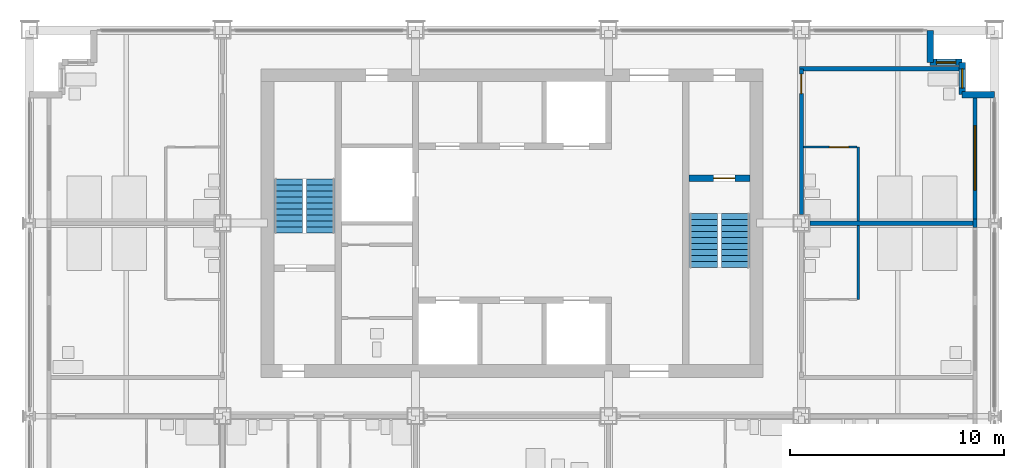
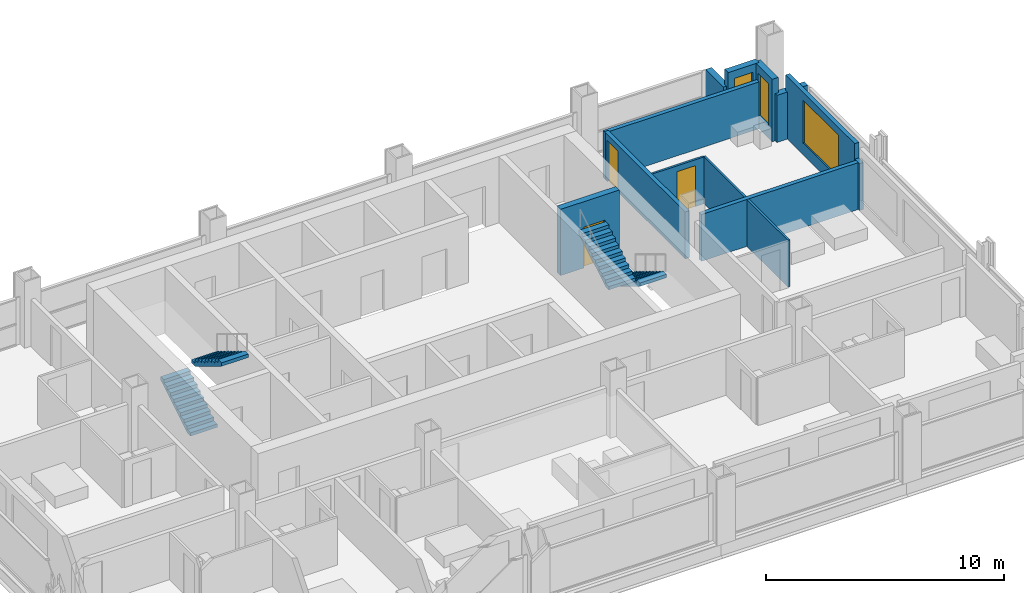
# One storey, part 10 of 13: 13 walls, 4 stair flights, 3 doors, 3 windows, 6 openings, 2 elements without a shape of their own.
"""IFC4 building model written with IfcOpenShell, lengths in metres."""

from ifc_helpers import new_model, si_unit, direction, frame, frame_2d, origin, place, context, subcontext, project, spatial, polyline, rectangle, outline, extrude, material, layer, layer_set, type_object, element, fill, aggregate, save


model = new_model("IFC4")

# Units and contexts
model_context = context("Model", 3, precision=1e-05, world=origin(), true_north=direction((0.0, 1.0)))
body_context = subcontext(model_context, "Body", "Model", "MODEL_VIEW")
ifc_project = project(units=[si_unit("LENGTHUNIT", "METRE"), si_unit("AREAUNIT", "SQUARE_METRE"), si_unit("VOLUMEUNIT", "CUBIC_METRE"), si_unit("PLANEANGLEUNIT", "RADIAN"), si_unit("MASSUNIT", "GRAM", prefix="KILO")], contexts=[model_context])

# Site, building, storey
site_placement = place(None, origin())
site = spatial("IfcSite", under=ifc_project, at=site_placement, CompositionType="ELEMENT")
building_placement = place(site_placement, origin())
building = spatial("IfcBuilding", under=site, at=building_placement, Name="Loomwork Tower", CompositionType="ELEMENT")
storey_placement = place(building_placement, frame((0.0, 0.0, 184.199951171875)))
storey = spatial("IfcBuildingStorey", under=building, at=storey_placement, Name="L50", CompositionType="ELEMENT", Elevation=184.199951171875)

# Wall, opening, door
ifc_material_1 = material(Name="Concrete 14000 psi (97 MPa)", Category="concrete")
ifc_layer_1 = layer(ifc_material_1, 0.300048828125)
ifc_layer_set_1 = layer_set([ifc_layer_1], Name="Core shear wall 300")
wall_type_1 = type_object("IfcWallType", Name="Core shear wall 300", PredefinedType="SHEAR", material=ifc_layer_set_1)
wall_1_placement = place(storey_placement, frame((30.75, 20.10009765625, 0.0), z_axis=(0.0, 0.0, 1.0), x_axis=(1.0, 0.0, 0.0)))
wall_1 = element("IfcWall", 1, at=wall_1_placement, inside=storey, type_object=wall_type_1, Name="Stair B north wall L50", PredefinedType="SHEAR", context=body_context, shape_type="SweptSolid", body=[
    extrude(rectangle(XDim=2.85009765625, YDim=0.300048828125, at=frame_2d((1.425048828125, 0.0))), origin(), (0.0, 0.0, 1.0), 3.400146484375),
])
opening_1_placement = place(wall_1_placement, frame((1.14990234375, 0.0, 0.0)))
opening_1 = element("IfcOpeningElement", 2, at=opening_1_placement, cuts=wall_1, Name="Opening D4", PredefinedType="OPENING", context=body_context, shape_type="SweptSolid", body=[
    extrude(rectangle(XDim=1.0, YDim=2.10009765625, at=frame_2d((0.5, 1.050048828125))), frame((0.0, 0.159912109375, 0.0), z_axis=(0.0, -1.0, 0.0), x_axis=(1.0, 0.0, 0.0)), (0.0, 0.0, 1.0), 0.320068359375),
])
ifc_material_2 = material(Name="Hollow metal door and frame")
door_type_1 = type_object("IfcDoorType", Name="Stair door 1000", OperationType="SINGLE_SWING_RIGHT", PredefinedType="DOOR", material=ifc_material_2)
door_1_placement = place(opening_1_placement, frame((1.0, 0.0, 0.0), z_axis=(0.0, 0.0, 1.0), x_axis=(-1.0, 0.0, 0.0)))
door_1 = element("IfcDoor", 3, at=door_1_placement, inside=storey, type_object=door_type_1, Name="Stair B door", OperationType="SINGLE_SWING_LEFT", OverallHeight=2.10009765625, OverallWidth=1.0, PredefinedType="DOOR", context=body_context, shape_type="SweptSolid", body=[
    extrude(rectangle(XDim=1.0, YDim=2.10009765625, at=frame_2d((0.5, 1.050048828125))), frame((0.0, 0.02490234375, 0.0), z_axis=(0.0, -1.0, 0.0), x_axis=(1.0, 0.0, 0.0)), (0.0, 0.0, 1.0), 0.050048828125),
])
fill(opening_1, door_1)

ifc_material_3 = material(Name="Gypsum board on steel studs, one-hour", Category="steel")
ifc_layer_2 = layer(ifc_material_3, 0.199951171875)
ifc_layer_set_2 = layer_set([ifc_layer_2], Name="Corridor wall 200")
wall_type_2 = type_object("IfcWallType", Name="Corridor wall 200", PredefinedType="PARTITIONING", material=ifc_layer_set_2)
wall_2_placement = place(storey_placement, frame((36.0, 18.39990234375, 0.0), z_axis=(0.0, 0.0, 1.0), x_axis=(0.0, 1.0, 0.0)))
wall_2 = element("IfcWall", 4, at=wall_2_placement, inside=storey, type_object=wall_type_2, Name="East corridor wall 2", PredefinedType="PARTITIONING", context=body_context, shape_type="SweptSolid", body=[
    extrude(rectangle(XDim=6.800048828125, YDim=0.199951171875, at=frame_2d((3.39990234375, 0.0))), origin(), (0.0, 0.0, 1.0), 2.405029296875),
])
opening_2_placement = place(wall_2_placement, frame((5.64990234375, 0.0, 0.0)))
opening_2 = element("IfcOpeningElement", 5, at=opening_2_placement, cuts=wall_2, Name="Opening D1", PredefinedType="OPENING", context=body_context, shape_type="SweptSolid", body=[
    extrude(rectangle(XDim=0.89990234375, YDim=2.10009765625, at=frame_2d((0.449951171875, 1.050048828125))), frame((0.0, 0.10986328125, 0.0), z_axis=(0.0, -1.0, 0.0), x_axis=(1.0, 0.0, 0.0)), (0.0, 0.0, 1.0), 0.219970703125),
])
ifc_material_4 = material(Name="Hollow metal door and frame")
door_type_2 = type_object("IfcDoorType", Name="Guest room entry door 900", OperationType="SINGLE_SWING_LEFT", PredefinedType="DOOR", material=ifc_material_4)
door_2_placement = place(opening_2_placement, frame((0.89990234375, 0.0, 0.0), z_axis=(0.0, 0.0, 1.0), x_axis=(-1.0, 0.0, 0.0)))
door_2 = element("IfcDoor", 6, at=door_2_placement, inside=storey, type_object=door_type_2, Name="Guest room entry door L50 10", OperationType="SINGLE_SWING_LEFT", OverallHeight=2.10009765625, OverallWidth=0.89990234375, PredefinedType="DOOR", context=body_context, shape_type="SweptSolid", body=[
    extrude(rectangle(XDim=0.89990234375, YDim=2.10009765625, at=frame_2d((0.449951171875, 1.050048828125))), frame((0.0, 0.02490234375, 0.0), z_axis=(0.0, -1.0, 0.0), x_axis=(1.0, 0.0, 0.0)), (0.0, 0.0, 1.0), 0.050048828125),
])
fill(opening_2, door_2)

# Walls
wall_3_placement = place(storey_placement, frame((35.89990234375, 25.199951171875, 0.0), z_axis=(0.0, 0.0, 1.0), x_axis=(1.0, 0.0, 0.0)))
element("IfcWall", 7, at=wall_3_placement, inside=storey, type_object=wall_type_2, Name="East band end wall N", PredefinedType="PARTITIONING", context=body_context, shape_type="SweptSolid", body=[
    extrude(rectangle(XDim=7.4501953125, YDim=0.199951171875, at=frame_2d((3.72509765625, 0.0))), origin(), (0.0, 0.0, 1.0), 2.404052734375),
])
ifc_material_5 = material(Name="Cement board on steel studs", Category="steel")
ifc_layer_3 = layer(ifc_material_5, 0.10009765625)
ifc_layer_set_3 = layer_set([ifc_layer_3], Name="En-suite partition 100")
wall_type_3 = type_object("IfcWallType", Name="En-suite partition 100", PredefinedType="PARTITIONING", material=ifc_layer_set_3)
for number, where, z_axis, x_axis, name in (
    (8, (38.64990234375, 14.449951171875, 0.0), (0.0, 0.0, 1.0), (0.0, 1.0, 0.0), "En-suite wall L50 room 9"),
    (9, (38.64990234375, 18.10009765625, 0.0), (0.0, 0.0, 1.0), (0.0, 1.0, 0.0), "En-suite wall L50 room 10"),
):
    element("IfcWall", number, at=place(storey_placement, frame(where, z_axis=z_axis, x_axis=x_axis)), inside=storey, type_object=wall_type_3, Name=name, PredefinedType="PARTITIONING", context=body_context, shape_type="SweptSolid", body=[
        extrude(rectangle(XDim=3.449951171875, YDim=0.10009765625, at=frame_2d((1.72509765625, 0.0))), origin(), (0.0, 0.0, 1.0), 2.404052734375),
    ])

# Wall, opening, door
wall_4_placement = place(storey_placement, frame((36.10009765625, 21.550048828125, 0.0), z_axis=(0.0, 0.0, 1.0), x_axis=(1.0, 0.0, 0.0)))
wall_4 = element("IfcWall", 10, at=wall_4_placement, inside=storey, type_object=wall_type_3, Name="En-suite side wall L50 room 10", PredefinedType="PARTITIONING", context=body_context, shape_type="SweptSolid", body=[
    extrude(rectangle(XDim=2.5, YDim=0.10009765625, at=frame_2d((1.25, 0.0))), origin(), (0.0, 0.0, 1.0), 2.404052734375),
])
opening_3_placement = place(wall_4_placement, frame((1.199951171875, 0.0, 0.0)))
opening_3 = element("IfcOpeningElement", 11, at=opening_3_placement, cuts=wall_4, Name="Opening D2", PredefinedType="OPENING", context=body_context, shape_type="SweptSolid", body=[
    extrude(rectangle(XDim=0.89990234375, YDim=2.10009765625, at=frame_2d((0.449951171875, 1.050048828125))), frame((0.0, 0.06005859375, 0.0), z_axis=(0.0, -1.0, 0.0), x_axis=(1.0, 0.0, 0.0)), (0.0, 0.0, 1.0), 0.1201171875),
])
ifc_material_6 = material(Name="Hollow metal door and frame")
door_type_3 = type_object("IfcDoorType", Name="En-suite door 900", OperationType="SINGLE_SWING_LEFT", PredefinedType="DOOR", material=ifc_material_6)
door_3_placement = place(opening_3_placement, frame((0.89990234375, 0.0, 0.0), z_axis=(0.0, 0.0, 1.0), x_axis=(-1.0, 0.0, 0.0)))
door_3 = element("IfcDoor", 12, at=door_3_placement, inside=storey, type_object=door_type_3, Name="En-suite door room 10", OperationType="SINGLE_SWING_LEFT", OverallHeight=2.10009765625, OverallWidth=0.89990234375, PredefinedType="DOOR", context=body_context, shape_type="SweptSolid", body=[
    extrude(rectangle(XDim=0.89990234375, YDim=2.10009765625, at=frame_2d((0.449951171875, 1.050048828125))), frame((0.0, 0.02490234375, 0.0), z_axis=(0.0, -1.0, 0.0), x_axis=(1.0, 0.0, 0.0)), (0.0, 0.0, 1.0), 0.050048828125),
])
fill(opening_3, door_3)

# Walls
ifc_material_7 = material(Name="Gypsum board on steel studs, acoustic", Category="steel")
ifc_layer_4 = layer(ifc_material_7, 0.199951171875)
ifc_layer_set_4 = layer_set([ifc_layer_4], Name="Guest room party wall 200")
wall_type_4 = type_object("IfcWallType", Name="Guest room party wall 200", PredefinedType="PARTITIONING", material=ifc_layer_set_4)
wall_5_placement = place(storey_placement, frame((36.39990234375, 18.0, 0.0), z_axis=(0.0, 0.0, 1.0), x_axis=(1.0, 0.0, 0.0)))
element("IfcWall", 13, at=wall_5_placement, inside=storey, type_object=wall_type_4, Name="Guest room party wall E 18", PredefinedType="PARTITIONING", context=body_context, shape_type="SweptSolid", body=[
    extrude(rectangle(XDim=7.60009765625, YDim=0.199951171875, at=frame_2d((3.800048828125, 0.0))), origin(), (0.0, 0.0, 1.0), 2.405029296875),
])
ifc_material_8 = material(Name="Insulated steel stud wall with gypsum lining", Category="steel")
ifc_layer_5 = layer(ifc_material_8, 0.199951171875)
ifc_layer_set_5 = layer_set([ifc_layer_5], Name="Inner skin wall 200")
wall_type_5 = type_object("IfcWallType", Name="Inner skin wall 200", PredefinedType="SOLIDWALL", material=ifc_layer_set_5)
wall_6_placement = place(storey_placement, frame((44.10009765625, 17.80615234375, 0.0), z_axis=(0.0, 0.0, 1.0), x_axis=(0.0, 1.0, 0.0)))
element("IfcWall", 14, at=wall_6_placement, inside=storey, type_object=wall_type_5, Name="Inner skin wall E bay 6", PredefinedType="SOLIDWALL", context=body_context, shape_type="SweptSolid", body=[
    extrude(rectangle(XDim=0.3876953125, YDim=0.199951171875, at=frame_2d((0.19384765625, 0.0))), origin(), (0.0, 0.0, 1.0), 2.404052734375),
])

# Wall, opening, window
wall_7_placement = place(storey_placement, frame((44.10009765625, 18.19384765625, 0.0), z_axis=(0.0, 0.0, 1.0), x_axis=(0.0, 1.0, 0.0)))
wall_7 = element("IfcWall", 15, at=wall_7_placement, inside=storey, type_object=wall_type_5, Name="Inner skin wall E bay 7", PredefinedType="SOLIDWALL", context=body_context, shape_type="SweptSolid", body=[
    extrude(rectangle(XDim=5.80615234375, YDim=0.199951171875, at=frame_2d((2.903076171875, 0.0))), origin(), (0.0, 0.0, 1.0), 3.199951171875),
])
opening_4_placement = place(wall_7_placement, frame((1.356201171875, 0.0, 0.60009765625)))
opening_4 = element("IfcOpeningElement", 16, at=opening_4_placement, cuts=wall_7, Name="Opening CH1", PredefinedType="OPENING", context=body_context, shape_type="SweptSolid", body=[
    extrude(rectangle(XDim=3.0, YDim=2.199951171875, at=frame_2d((1.5, 1.10009765625))), frame((0.0, 0.10986328125, 0.0), z_axis=(0.0, -1.0, 0.0), x_axis=(1.0, 0.0, 0.0)), (0.0, 0.0, 1.0), 0.219970703125),
])
ifc_material_9 = material(Name="Aluminium frame with clear insulated glass", Category="aluminium")
window_type_1 = type_object("IfcWindowType", Name="Chicago window 3000", PartitioningType="TRIPLE_PANEL_VERTICAL", PredefinedType="WINDOW", material=ifc_material_9)
window_1_placement = place(opening_4_placement, origin())
window_1 = element("IfcWindow", 17, at=window_1_placement, inside=storey, type_object=window_type_1, Name="Chicago window L50 bay 9", OverallHeight=2.199951171875, OverallWidth=3.0, PartitioningType="TRIPLE_PANEL_VERTICAL", PredefinedType="WINDOW", context=body_context, shape_type="SweptSolid", body=[
    extrude(rectangle(XDim=3.0, YDim=2.199951171875, at=frame_2d((1.5, 1.10009765625))), frame((0.0, 0.030029296875, 0.0), z_axis=(0.0, -1.0, 0.0), x_axis=(1.0, 0.0, 0.0)), (0.0, 0.0, 1.0), 0.06005859375),
])
fill(opening_4, window_1)

# Wall
ifc_material_10 = material(Name="Limestone on concrete masonry", Category="masonry")
ifc_layer_6 = layer(ifc_material_10, 0.300048828125)
ifc_layer_set_6 = layer_set([ifc_layer_6], Name="Limestone corner wall 300")
wall_type_6 = type_object("IfcWallType", Name="Limestone corner wall 300", PredefinedType="SOLIDWALL", material=ifc_layer_set_6)
wall_8_placement = place(storey_placement, frame((45.0, 24.0, 0.0), z_axis=(0.0, 0.0, 1.0), x_axis=(-1.0, 0.0, 0.0)))
element("IfcWall", 18, at=wall_8_placement, inside=storey, type_object=wall_type_6, Name="Stone corner wall NE 1", PredefinedType="SOLIDWALL", context=body_context, shape_type="SweptSolid", body=[
    extrude(rectangle(XDim=1.5, YDim=0.300048828125, at=frame_2d((0.75, 0.0))), origin(), (0.0, 0.0, 1.0), 2.420166015625),
])

# Wall, opening, window
wall_9_placement = place(storey_placement, frame((43.5, 24.0, 0.0), z_axis=(0.0, 0.0, 1.0), x_axis=(0.0, 1.0, 0.0)))
wall_9 = element("IfcWall", 19, at=wall_9_placement, inside=storey, type_object=wall_type_6, Name="Stone corner wall NE 2", PredefinedType="SOLIDWALL", context=body_context, shape_type="SweptSolid", body=[
    extrude(rectangle(XDim=1.5, YDim=0.300048828125, at=frame_2d((0.75, 0.0))), origin(), (0.0, 0.0, 1.0), 3.199951171875),
])
opening_5_placement = place(wall_9_placement, frame((0.300048828125, 0.0, 0.60009765625)))
opening_5 = element("IfcOpeningElement", 20, at=opening_5_placement, cuts=wall_9, Name="Opening CH2", PredefinedType="OPENING", context=body_context, shape_type="SweptSolid", body=[
    extrude(rectangle(XDim=0.89990234375, YDim=2.199951171875, at=frame_2d((0.449951171875, 1.10009765625))), frame((0.0, 0.159912109375, 0.0), z_axis=(0.0, -1.0, 0.0), x_axis=(1.0, 0.0, 0.0)), (0.0, 0.0, 1.0), 0.320068359375),
])
ifc_material_11 = material(Name="Aluminium frame with clear insulated glass", Category="aluminium")
window_type_2 = type_object("IfcWindowType", Name="Corner window 900", PartitioningType="SINGLE_PANEL", PredefinedType="WINDOW", material=ifc_material_11)
window_2_placement = place(opening_5_placement, origin())
window_2 = element("IfcWindow", 21, at=window_2_placement, inside=storey, type_object=window_type_2, Name="Corner window NE", OverallHeight=2.199951171875, OverallWidth=0.89990234375, PartitioningType="SINGLE_PANEL", PredefinedType="WINDOW", context=body_context, shape_type="SweptSolid", body=[
    extrude(rectangle(XDim=0.89990234375, YDim=2.199951171875, at=frame_2d((0.449951171875, 1.10009765625))), frame((0.0, 0.030029296875, 0.0), z_axis=(0.0, -1.0, 0.0), x_axis=(1.0, 0.0, 0.0)), (0.0, 0.0, 1.0), 0.06005859375),
])
fill(opening_5, window_2)

wall_10_placement = place(storey_placement, frame((43.5, 25.5, 0.0), z_axis=(0.0, 0.0, 1.0), x_axis=(-1.0, 0.0, 0.0)))
wall_10 = element("IfcWall", 22, at=wall_10_placement, inside=storey, type_object=wall_type_6, Name="Stone corner wall NE 3", PredefinedType="SOLIDWALL", context=body_context, shape_type="SweptSolid", body=[
    extrude(rectangle(XDim=1.5, YDim=0.300048828125, at=frame_2d((0.75, 0.0))), origin(), (0.0, 0.0, 1.0), 3.199951171875),
])
opening_6_placement = place(wall_10_placement, frame((0.300048828125, 0.0, 0.60009765625)))
opening_6 = element("IfcOpeningElement", 23, at=opening_6_placement, cuts=wall_10, Name="Opening CH2", PredefinedType="OPENING", context=body_context, shape_type="SweptSolid", body=[
    extrude(rectangle(XDim=0.89990234375, YDim=2.199951171875, at=frame_2d((0.449951171875, 1.10009765625))), frame((0.0, 0.159912109375, 0.0), z_axis=(0.0, -1.0, 0.0), x_axis=(1.0, 0.0, 0.0)), (0.0, 0.0, 1.0), 0.320068359375),
])
window_3_placement = place(opening_6_placement, origin())
window_3 = element("IfcWindow", 24, at=window_3_placement, inside=storey, type_object=window_type_2, Name="Corner window NE", OverallHeight=2.199951171875, OverallWidth=0.89990234375, PartitioningType="SINGLE_PANEL", PredefinedType="WINDOW", context=body_context, shape_type="SweptSolid", body=[
    extrude(rectangle(XDim=0.89990234375, YDim=2.199951171875, at=frame_2d((0.449951171875, 1.10009765625))), frame((0.0, 0.030029296875, 0.0), z_axis=(0.0, -1.0, 0.0), x_axis=(1.0, 0.0, 0.0)), (0.0, 0.0, 1.0), 0.06005859375),
])
fill(opening_6, window_3)

# Wall
wall_11_placement = place(storey_placement, frame((42.0, 25.5, 0.0), z_axis=(0.0, 0.0, 1.0), x_axis=(0.0, 1.0, 0.0)))
element("IfcWall", 25, at=wall_11_placement, inside=storey, type_object=wall_type_6, Name="Stone corner wall NE 4", PredefinedType="SOLIDWALL", context=body_context, shape_type="SweptSolid", body=[
    extrude(rectangle(XDim=1.5, YDim=0.300048828125, at=frame_2d((0.75, 0.0))), origin(), (0.0, 0.0, 1.0), 2.420166015625),
])

# Stair, stair flights
ifc_material_12 = material(Name="Concrete 5000 psi (34 MPa) precast stair", Category="concrete")
stair_type_1 = type_object("IfcStairType", Name="Stair ST-A 20 risers 2850 wide", PredefinedType="HALF_TURN_STAIR", material=ifc_material_12)
stair_1_placement = place(storey_placement, origin())
stair_1 = element("IfcStair", 26, at=stair_1_placement, inside=storey, type_object=stair_type_1, Name="Stair A L50", PredefinedType="HALF_TURN_STAIR")
ifc_material_13 = material(Name="Concrete 5000 psi (34 MPa) precast stair", Category="concrete")
stair_flight_type_1 = type_object("IfcStairFlightType", Name="Stair flight ST-A 10 risers 1300 wide", PredefinedType="STRAIGHT", material=ifc_material_13)
stair_flight_1_placement = place(storey_placement, frame((12.074951171875, 17.550048828125, 0.0), z_axis=(0.0, 0.0, 1.0), x_axis=(0.0, 1.0, 0.0)))
stair_flight_1 = element("IfcStairFlight", 27, at=stair_flight_1_placement, type_object=stair_flight_type_1, Name="ST-A flight 1", NumberOfRisers=10, NumberOfTreads=9, PredefinedType="STRAIGHT", RiserHeight=0.17, TreadLength=0.28, context=body_context, shape_type="SweptSolid", body=[
    extrude(outline(polyline([(0.0, 0.0), (0.0, 0.169921875), (0.280029296875, 0.169921875), (0.280029296875, 0.340087890625), (0.56005859375, 0.340087890625), (0.56005859375, 0.510009765625), (0.840087890625, 0.510009765625), (0.840087890625, 0.679931640625), (1.1201171875, 0.679931640625), (1.1201171875, 0.85009765625), (1.39990234375, 0.85009765625), (1.39990234375, 1.02001953125), (1.679931640625, 1.02001953125), (1.679931640625, 1.18994140625), (1.9599609375, 1.18994140625), (1.9599609375, 1.360107421875), (2.239990234375, 1.360107421875), (2.239990234375, 1.530029296875), (2.52001953125, 1.530029296875), (2.52001953125, 1.699951171875), (2.52001953125, 1.354736328125), (0.288818359375, 0.0), (0.0, 0.0)])), frame((0.0, 0.64990234375, 0.0), z_axis=(0.0, -1.0, 0.0), x_axis=(1.0, 0.0, 0.0)), (0.0, 0.0, 1.0), 1.300048828125),
])
stair_flight_2_placement = place(storey_placement, frame((13.574951171875, 20.070068359375, 1.699951171875), z_axis=(0.0, 0.0, 1.0), x_axis=(0.0, -1.0, 0.0)))
stair_flight_2 = element("IfcStairFlight", 28, at=stair_flight_2_placement, type_object=stair_flight_type_1, Name="ST-A flight 2", NumberOfRisers=10, NumberOfTreads=9, PredefinedType="STRAIGHT", RiserHeight=0.17, TreadLength=0.28, context=body_context, shape_type="SweptSolid", body=[
    extrude(outline(polyline([(0.0, 0.0), (0.0, 0.169921875), (0.280029296875, 0.169921875), (0.280029296875, 0.340087890625), (0.56005859375, 0.340087890625), (0.56005859375, 0.510009765625), (0.840087890625, 0.510009765625), (0.840087890625, 0.679931640625), (1.1201171875, 0.679931640625), (1.1201171875, 0.85009765625), (1.39990234375, 0.85009765625), (1.39990234375, 1.02001953125), (1.679931640625, 1.02001953125), (1.679931640625, 1.18994140625), (1.9599609375, 1.18994140625), (1.9599609375, 1.360107421875), (2.239990234375, 1.360107421875), (2.239990234375, 1.530029296875), (2.52001953125, 1.530029296875), (2.52001953125, 1.699951171875), (2.52001953125, 1.354736328125), (0.288818359375, 0.0), (0.0, 0.0)])), frame((0.0, 0.64990234375, 0.0), z_axis=(0.0, -1.0, 0.0), x_axis=(1.0, 0.0, 0.0)), (0.0, 0.0, 1.0), 1.300048828125),
])
aggregate(stair_1, [stair_flight_1, stair_flight_2])

ifc_material_14 = material(Name="Concrete 5000 psi (34 MPa) precast stair", Category="concrete")
stair_type_2 = type_object("IfcStairType", Name="Stair ST-B 20 risers 2850 wide", PredefinedType="HALF_TURN_STAIR", material=ifc_material_14)
stair_2_placement = place(storey_placement, origin())
stair_2 = element("IfcStair", 29, at=stair_2_placement, inside=storey, type_object=stair_type_2, Name="Stair B L50", PredefinedType="HALF_TURN_STAIR")
ifc_material_15 = material(Name="Concrete 5000 psi (34 MPa) precast stair", Category="concrete")
stair_flight_type_2 = type_object("IfcStairFlightType", Name="Stair flight ST-B 10 risers 1300 wide", PredefinedType="STRAIGHT", material=ifc_material_15)
stair_flight_3_placement = place(storey_placement, frame((32.925048828125, 18.449951171875, 0.0), z_axis=(0.0, 0.0, 1.0), x_axis=(0.0, -1.0, 0.0)))
stair_flight_3 = element("IfcStairFlight", 30, at=stair_flight_3_placement, type_object=stair_flight_type_2, Name="ST-B flight 1", NumberOfRisers=10, NumberOfTreads=9, PredefinedType="STRAIGHT", RiserHeight=0.17, TreadLength=0.28, context=body_context, shape_type="SweptSolid", body=[
    extrude(outline(polyline([(0.0, 0.0), (0.0, 0.169921875), (0.280029296875, 0.169921875), (0.280029296875, 0.340087890625), (0.56005859375, 0.340087890625), (0.56005859375, 0.510009765625), (0.840087890625, 0.510009765625), (0.840087890625, 0.679931640625), (1.1201171875, 0.679931640625), (1.1201171875, 0.85009765625), (1.39990234375, 0.85009765625), (1.39990234375, 1.02001953125), (1.679931640625, 1.02001953125), (1.679931640625, 1.18994140625), (1.9599609375, 1.18994140625), (1.9599609375, 1.360107421875), (2.239990234375, 1.360107421875), (2.239990234375, 1.530029296875), (2.52001953125, 1.530029296875), (2.52001953125, 1.699951171875), (2.52001953125, 1.354736328125), (0.288818359375, 0.0), (0.0, 0.0)])), frame((0.0, 0.64990234375, 0.0), z_axis=(0.0, -1.0, 0.0), x_axis=(1.0, 0.0, 0.0)), (0.0, 0.0, 1.0), 1.300048828125),
])
stair_flight_4_placement = place(storey_placement, frame((31.425048828125, 15.929931640625, 1.699951171875), z_axis=(0.0, 0.0, 1.0), x_axis=(0.0, 1.0, 0.0)))
stair_flight_4 = element("IfcStairFlight", 31, at=stair_flight_4_placement, type_object=stair_flight_type_2, Name="ST-B flight 2", NumberOfRisers=10, NumberOfTreads=9, PredefinedType="STRAIGHT", RiserHeight=0.17, TreadLength=0.28, context=body_context, shape_type="SweptSolid", body=[
    extrude(outline(polyline([(0.0, 0.0), (0.0, 0.169921875), (0.280029296875, 0.169921875), (0.280029296875, 0.340087890625), (0.56005859375, 0.340087890625), (0.56005859375, 0.510009765625), (0.840087890625, 0.510009765625), (0.840087890625, 0.679931640625), (1.1201171875, 0.679931640625), (1.1201171875, 0.85009765625), (1.39990234375, 0.85009765625), (1.39990234375, 1.02001953125), (1.679931640625, 1.02001953125), (1.679931640625, 1.18994140625), (1.9599609375, 1.18994140625), (1.9599609375, 1.360107421875), (2.239990234375, 1.360107421875), (2.239990234375, 1.530029296875), (2.52001953125, 1.530029296875), (2.52001953125, 1.699951171875), (2.52001953125, 1.354736328125), (0.288818359375, 0.0), (0.0, 0.0)])), frame((0.0, 0.64990234375, 0.0), z_axis=(0.0, -1.0, 0.0), x_axis=(1.0, 0.0, 0.0)), (0.0, 0.0, 1.0), 1.300048828125),
])
aggregate(stair_2, [stair_flight_3, stair_flight_4])

save(model, "model.ifc")
